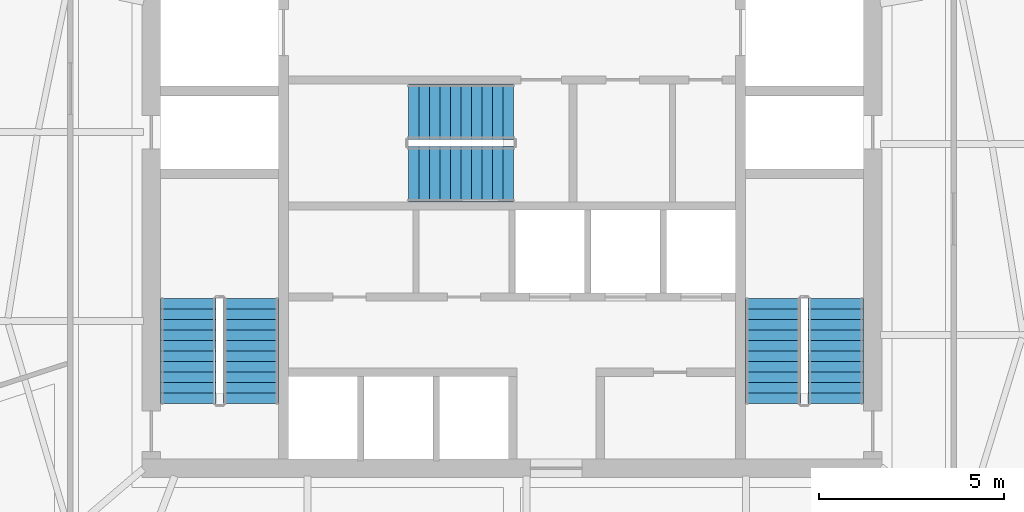
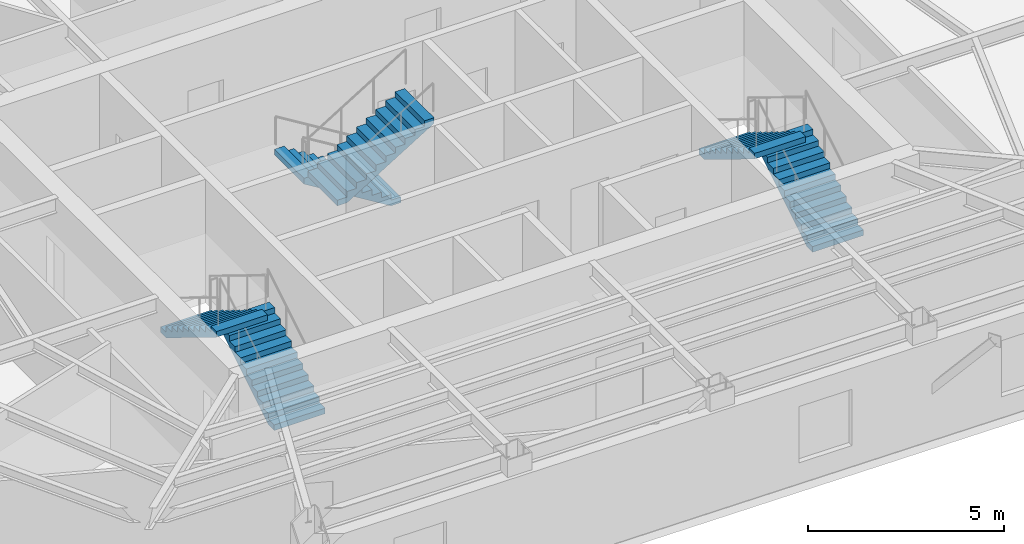
# One storey, part 11 of 13: 6 stair flights, 3 elements without a shape of their own.
"""IFC4 building model written with IfcOpenShell, lengths in metres."""

from ifc_helpers import new_model, si_unit, direction, frame, origin, place, context, subcontext, project, spatial, polyline, outline, extrude, material, type_object, element, aggregate, save


model = new_model("IFC4")

# Units and contexts
model_context = context("Model", 3, precision=1e-05, world=origin(), true_north=direction((0.0, 1.0)))
body_context = subcontext(model_context, "Body", "Model", "MODEL_VIEW")
ifc_project = project(units=[si_unit("LENGTHUNIT", "METRE"), si_unit("AREAUNIT", "SQUARE_METRE"), si_unit("VOLUMEUNIT", "CUBIC_METRE"), si_unit("PLANEANGLEUNIT", "RADIAN"), si_unit("MASSUNIT", "GRAM", prefix="KILO")], contexts=[model_context])

# Site, building, storey
site_placement = place(None, origin())
site = spatial("IfcSite", under=ifc_project, at=site_placement, CompositionType="ELEMENT")
building_placement = place(site_placement, origin())
building = spatial("IfcBuilding", under=site, at=building_placement, Name="Kavelnor Concourse Tower", CompositionType="ELEMENT")
storey_placement = place(building_placement, frame((0.0, 0.0, 116.300048828125)))
storey = spatial("IfcBuildingStorey", under=building, at=storey_placement, Name="L29", CompositionType="ELEMENT", Elevation=116.300048828125)

# Stair, stair flights
ifc_material = material(Name="Concrete C40/50", Category="concrete")
stair_type = type_object("IfcStairType", Name="STR-CORE-1500", PredefinedType="HALF_TURN_STAIR", material=ifc_material)
stair_1_placement = place(storey_placement, origin())
stair_1 = element("IfcStair", 1, at=stair_1_placement, inside=storey, type_object=stair_type, Name="L29 ST1", PredefinedType="HALF_TURN_STAIR")
stair_flight_type = type_object("IfcStairFlightType", Name="STR-FLIGHT-1500", PredefinedType="STRAIGHT", material=ifc_material)
stair_flight_1_placement = place(storey_placement, frame((30.929931640625, 11.10009765625, 0.0), z_axis=(0.0, 0.0, 1.0), x_axis=(0.0, 1.0, 0.0)))
stair_flight_1 = element("IfcStairFlight", 2, at=stair_flight_1_placement, type_object=stair_flight_type, Name="ST1 flight 1", NumberOfRisers=11, NumberOfTreads=10, PredefinedType="STRAIGHT", RiserHeight=0.175, TreadLength=0.285, context=body_context, shape_type="SweptSolid", body=[
    extrude(outline(polyline([(0.0, 0.0), (0.0, 0.175048828125), (0.284912109375, 0.175048828125), (0.284912109375, 0.35009765625), (0.570068359375, 0.35009765625), (0.570068359375, 0.52490234375), (0.85498046875, 0.52490234375), (0.85498046875, 0.699951171875), (1.139892578125, 0.699951171875), (1.139892578125, 0.875), (1.425048828125, 0.875), (1.425048828125, 1.050048828125), (1.7099609375, 1.050048828125), (1.7099609375, 1.22509765625), (1.9951171875, 1.22509765625), (1.9951171875, 1.39990234375), (2.280029296875, 1.39990234375), (2.280029296875, 1.574951171875), (2.56494140625, 1.574951171875), (2.56494140625, 1.75), (2.85009765625, 1.75), (2.85009765625, 1.925048828125), (2.85009765625, 1.573974609375), (0.286376953125, 0.0), (0.0, 0.0)])), frame((0.0, 0.75, 0.0), z_axis=(0.0, -1.0, 0.0), x_axis=(1.0, 0.0, 0.0)), (0.0, 0.0, 1.0), 1.5),
])
stair_flight_2_placement = place(storey_placement, frame((29.22998046875, 13.949951171875, 1.925048828125), z_axis=(0.0, 0.0, 1.0), x_axis=(0.0, -1.0, 0.0)))
stair_flight_2 = element("IfcStairFlight", 3, at=stair_flight_2_placement, type_object=stair_flight_type, Name="ST1 flight 2", NumberOfRisers=11, NumberOfTreads=10, PredefinedType="STRAIGHT", RiserHeight=0.175, TreadLength=0.285, context=body_context, shape_type="SweptSolid", body=[
    extrude(outline(polyline([(0.0, 0.0), (0.0, 0.175048828125), (0.284912109375, 0.175048828125), (0.284912109375, 0.35009765625), (0.570068359375, 0.35009765625), (0.570068359375, 0.52490234375), (0.85498046875, 0.52490234375), (0.85498046875, 0.699951171875), (1.139892578125, 0.699951171875), (1.139892578125, 0.875), (1.425048828125, 0.875), (1.425048828125, 1.050048828125), (1.7099609375, 1.050048828125), (1.7099609375, 1.22509765625), (1.9951171875, 1.22509765625), (1.9951171875, 1.39990234375), (2.280029296875, 1.39990234375), (2.280029296875, 1.574951171875), (2.56494140625, 1.574951171875), (2.56494140625, 1.75), (2.85009765625, 1.75), (2.85009765625, 1.925048828125), (2.85009765625, 1.573974609375), (0.286376953125, 0.0), (0.0, 0.0)])), frame((0.0, 0.75, 0.0), z_axis=(0.0, -1.0, 0.0), x_axis=(1.0, 0.0, 0.0)), (0.0, 0.0, 1.0), 1.5),
])
aggregate(stair_1, [stair_flight_1, stair_flight_2])

stair_2_placement = place(storey_placement, origin())
stair_2 = element("IfcStair", 4, at=stair_2_placement, inside=storey, type_object=stair_type, Name="L29 ST2", PredefinedType="HALF_TURN_STAIR")
stair_flight_3_placement = place(storey_placement, frame((46.77001953125, 11.10009765625, 0.0), z_axis=(0.0, 0.0, 1.0), x_axis=(0.0, 1.0, 0.0)))
stair_flight_3 = element("IfcStairFlight", 5, at=stair_flight_3_placement, type_object=stair_flight_type, Name="ST2 flight 1", NumberOfRisers=11, NumberOfTreads=10, PredefinedType="STRAIGHT", RiserHeight=0.175, TreadLength=0.285, context=body_context, shape_type="SweptSolid", body=[
    extrude(outline(polyline([(0.0, 0.0), (0.0, 0.175048828125), (0.284912109375, 0.175048828125), (0.284912109375, 0.35009765625), (0.570068359375, 0.35009765625), (0.570068359375, 0.52490234375), (0.85498046875, 0.52490234375), (0.85498046875, 0.699951171875), (1.139892578125, 0.699951171875), (1.139892578125, 0.875), (1.425048828125, 0.875), (1.425048828125, 1.050048828125), (1.7099609375, 1.050048828125), (1.7099609375, 1.22509765625), (1.9951171875, 1.22509765625), (1.9951171875, 1.39990234375), (2.280029296875, 1.39990234375), (2.280029296875, 1.574951171875), (2.56494140625, 1.574951171875), (2.56494140625, 1.75), (2.85009765625, 1.75), (2.85009765625, 1.925048828125), (2.85009765625, 1.573974609375), (0.286376953125, 0.0), (0.0, 0.0)])), frame((0.0, 0.75, 0.0), z_axis=(0.0, -1.0, 0.0), x_axis=(1.0, 0.0, 0.0)), (0.0, 0.0, 1.0), 1.5),
])
stair_flight_4_placement = place(storey_placement, frame((45.070068359375, 13.949951171875, 1.925048828125), z_axis=(0.0, 0.0, 1.0), x_axis=(0.0, -1.0, 0.0)))
stair_flight_4 = element("IfcStairFlight", 6, at=stair_flight_4_placement, type_object=stair_flight_type, Name="ST2 flight 2", NumberOfRisers=11, NumberOfTreads=10, PredefinedType="STRAIGHT", RiserHeight=0.175, TreadLength=0.285, context=body_context, shape_type="SweptSolid", body=[
    extrude(outline(polyline([(0.0, 0.0), (0.0, 0.175048828125), (0.284912109375, 0.175048828125), (0.284912109375, 0.35009765625), (0.570068359375, 0.35009765625), (0.570068359375, 0.52490234375), (0.85498046875, 0.52490234375), (0.85498046875, 0.699951171875), (1.139892578125, 0.699951171875), (1.139892578125, 0.875), (1.425048828125, 0.875), (1.425048828125, 1.050048828125), (1.7099609375, 1.050048828125), (1.7099609375, 1.22509765625), (1.9951171875, 1.22509765625), (1.9951171875, 1.39990234375), (2.280029296875, 1.39990234375), (2.280029296875, 1.574951171875), (2.56494140625, 1.574951171875), (2.56494140625, 1.75), (2.85009765625, 1.75), (2.85009765625, 1.925048828125), (2.85009765625, 1.573974609375), (0.286376953125, 0.0), (0.0, 0.0)])), frame((0.0, 0.75, 0.0), z_axis=(0.0, -1.0, 0.0), x_axis=(1.0, 0.0, 0.0)), (0.0, 0.0, 1.0), 1.5),
])
aggregate(stair_2, [stair_flight_3, stair_flight_4])

stair_3_placement = place(storey_placement, origin())
stair_3 = element("IfcStair", 7, at=stair_3_placement, inside=storey, type_object=stair_type, Name="L29 ST3", PredefinedType="HALF_TURN_STAIR")
stair_flight_5_placement = place(storey_placement, frame((38.0400390625, 19.010009765625, 0.0), z_axis=(0.0, 0.0, 1.0), x_axis=(-1.0, 0.0, 0.0)))
stair_flight_5 = element("IfcStairFlight", 8, at=stair_flight_5_placement, type_object=stair_flight_type, Name="ST3 flight 1", NumberOfRisers=11, NumberOfTreads=10, PredefinedType="STRAIGHT", RiserHeight=0.175, TreadLength=0.285, context=body_context, shape_type="SweptSolid", body=[
    extrude(outline(polyline([(0.0, 0.0), (0.0, 0.175048828125), (0.284912109375, 0.175048828125), (0.284912109375, 0.35009765625), (0.570068359375, 0.35009765625), (0.570068359375, 0.52490234375), (0.85498046875, 0.52490234375), (0.85498046875, 0.699951171875), (1.139892578125, 0.699951171875), (1.139892578125, 0.875), (1.425048828125, 0.875), (1.425048828125, 1.050048828125), (1.7099609375, 1.050048828125), (1.7099609375, 1.22509765625), (1.9951171875, 1.22509765625), (1.9951171875, 1.39990234375), (2.280029296875, 1.39990234375), (2.280029296875, 1.574951171875), (2.56494140625, 1.574951171875), (2.56494140625, 1.75), (2.85009765625, 1.75), (2.85009765625, 1.925048828125), (2.85009765625, 1.573974609375), (0.286376953125, 0.0), (0.0, 0.0)])), frame((0.0, 0.75, 0.0), z_axis=(0.0, -1.0, 0.0), x_axis=(1.0, 0.0, 0.0)), (0.0, 0.0, 1.0), 1.5),
])
stair_flight_6_placement = place(storey_placement, frame((35.18994140625, 17.31005859375, 1.925048828125), z_axis=(0.0, 0.0, 1.0), x_axis=(1.0, 0.0, 0.0)))
stair_flight_6 = element("IfcStairFlight", 9, at=stair_flight_6_placement, type_object=stair_flight_type, Name="ST3 flight 2", NumberOfRisers=11, NumberOfTreads=10, PredefinedType="STRAIGHT", RiserHeight=0.175, TreadLength=0.285, context=body_context, shape_type="SweptSolid", body=[
    extrude(outline(polyline([(0.0, 0.0), (0.0, 0.175048828125), (0.284912109375, 0.175048828125), (0.284912109375, 0.35009765625), (0.570068359375, 0.35009765625), (0.570068359375, 0.52490234375), (0.85498046875, 0.52490234375), (0.85498046875, 0.699951171875), (1.139892578125, 0.699951171875), (1.139892578125, 0.875), (1.425048828125, 0.875), (1.425048828125, 1.050048828125), (1.7099609375, 1.050048828125), (1.7099609375, 1.22509765625), (1.9951171875, 1.22509765625), (1.9951171875, 1.39990234375), (2.280029296875, 1.39990234375), (2.280029296875, 1.574951171875), (2.56494140625, 1.574951171875), (2.56494140625, 1.75), (2.85009765625, 1.75), (2.85009765625, 1.925048828125), (2.85009765625, 1.573974609375), (0.286376953125, 0.0), (0.0, 0.0)])), frame((0.0, 0.75, 0.0), z_axis=(0.0, -1.0, 0.0), x_axis=(1.0, 0.0, 0.0)), (0.0, 0.0, 1.0), 1.5),
])
aggregate(stair_3, [stair_flight_5, stair_flight_6])

save(model, "model.ifc")
